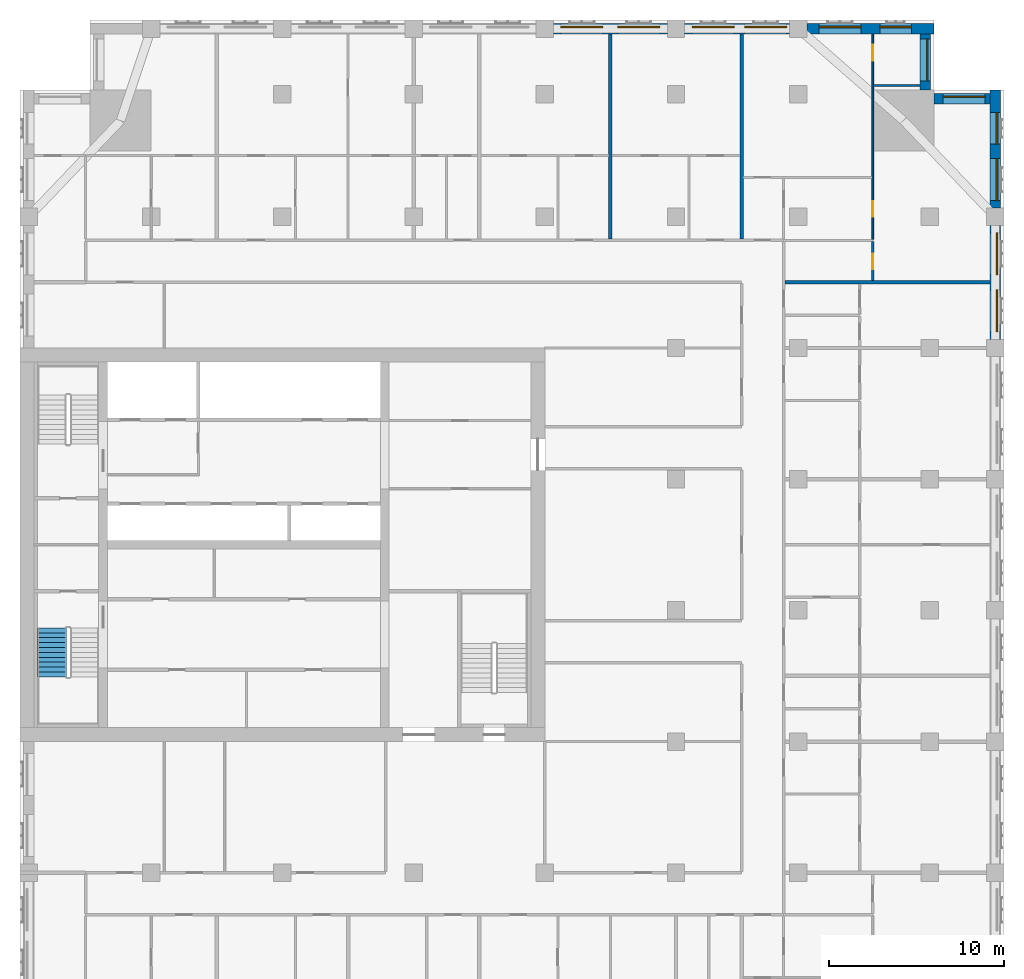
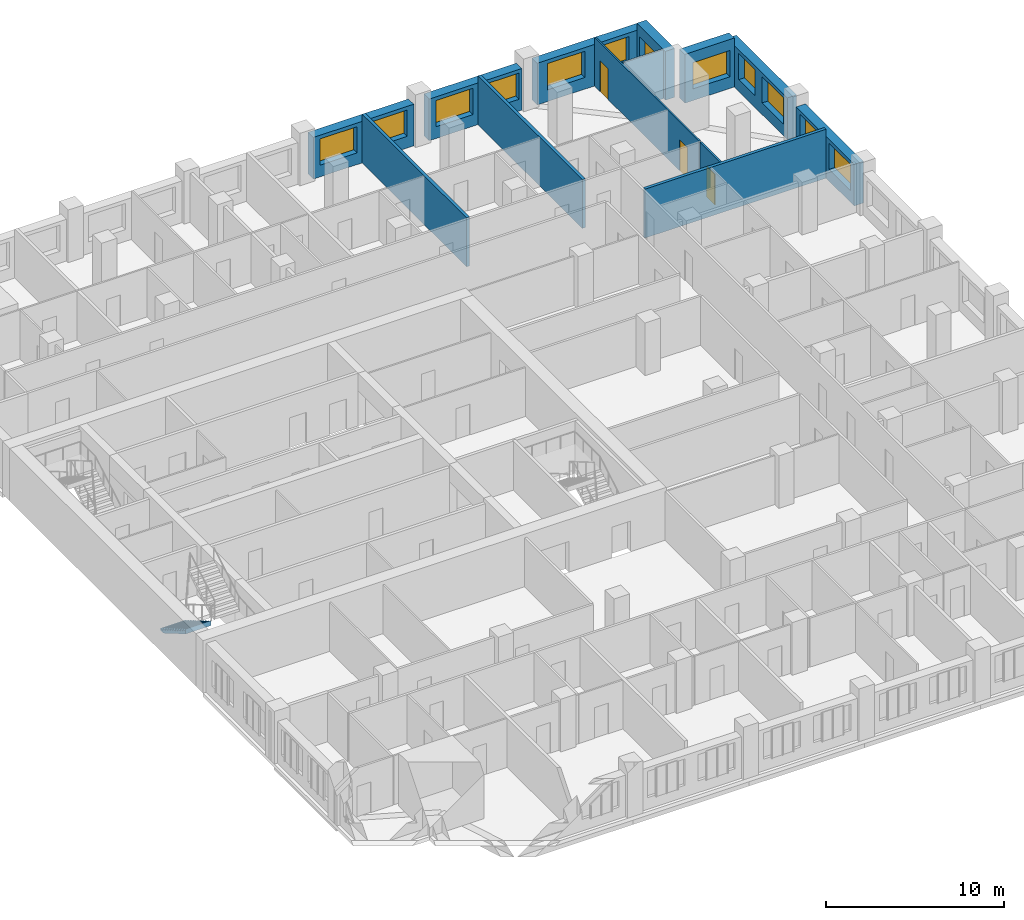
# One storey, part 11 of 14: 13 walls, 12 windows, 3 doors, 1 stair flight, 15 openings, 1 element without a shape of its own.
"""IFC4 building model written with IfcOpenShell, lengths in metres."""

from ifc_helpers import new_model, si_unit, direction, frame, frame_2d, origin, place, context, subcontext, project, spatial, polyline, rectangle, outline, extrude, material, layer, layer_set, type_object, element, fill, aggregate, save


model = new_model("IFC4")

# Units and contexts
model_context = context("Model", 3, precision=1e-05, world=origin(), true_north=direction((0.0, 1.0)))
body_context = subcontext(model_context, "Body", "Model", "MODEL_VIEW")
ifc_project = project(units=[si_unit("LENGTHUNIT", "METRE"), si_unit("AREAUNIT", "SQUARE_METRE"), si_unit("VOLUMEUNIT", "CUBIC_METRE"), si_unit("PLANEANGLEUNIT", "RADIAN"), si_unit("MASSUNIT", "GRAM", prefix="KILO")], contexts=[model_context])

# Site, building, storey
site_placement = place(None, origin())
site = spatial("IfcSite", under=ifc_project, at=site_placement, CompositionType="ELEMENT")
building_placement = place(site_placement, origin())
building = spatial("IfcBuilding", under=site, at=building_placement, Name="Tamorin Gate", CompositionType="ELEMENT")
storey_placement = place(building_placement, frame((0.0, 0.0, 133.800048828125)))
storey = spatial("IfcBuildingStorey", under=building, at=storey_placement, Name="L32", CompositionType="ELEMENT", Elevation=133.800048828125)

# Wall, openings, windows
ifc_material_1 = material(Name="Precast concrete C40/50", Category="concrete")
ifc_layer_1 = layer(ifc_material_1, 0.60009765625)
ifc_layer_set_1 = layer_set([ifc_layer_1], Name="Precast concrete C40/50")
wall_type_1 = type_object("IfcWallType", Name="Board-marked concrete facade panel 600", PredefinedType="SOLIDWALL", material=ifc_layer_set_1)
wall_1_placement = place(storey_placement, frame((85.75, 83.0, 0.0), z_axis=(0.0, 0.0, 1.0), x_axis=(0.0, 1.0, 0.0)))
wall_1 = element("IfcWall", 1, at=wall_1_placement, inside=storey, type_object=wall_type_1, Name="Facade panel", PredefinedType="SOLIDWALL", context=body_context, shape_type="SweptSolid", body=[
    extrude(rectangle(XDim=6.5, YDim=0.60009765625, at=frame_2d((3.25, 0.0))), origin(), (0.0, 0.0, 1.0), 2.849853515625),
])
opening_1_placement = place(wall_1_placement, frame((0.425048828125, 0.0, 0.800048828125)))
opening_1 = element("IfcOpeningElement", 2, at=opening_1_placement, cuts=wall_1, Name="Opening WN1", PredefinedType="OPENING", context=body_context, shape_type="SweptSolid", body=[
    extrude(rectangle(XDim=2.39990234375, YDim=1.800048828125, at=frame_2d((1.199951171875, 0.89990234375))), frame((0.0, 0.31005859375, 0.0), z_axis=(0.0, -1.0, 0.0), x_axis=(1.0, 0.0, 0.0)), (0.0, 0.0, 1.0), 0.6201171875),
])
opening_2_placement = place(wall_1_placement, frame((3.675048828125, 0.0, 0.800048828125)))
opening_2 = element("IfcOpeningElement", 3, at=opening_2_placement, cuts=wall_1, Name="Opening WN1", PredefinedType="OPENING", context=body_context, shape_type="SweptSolid", body=[
    extrude(rectangle(XDim=2.39990234375, YDim=1.800048828125, at=frame_2d((1.199951171875, 0.89990234375))), frame((0.0, 0.31005859375, 0.0), z_axis=(0.0, -1.0, 0.0), x_axis=(1.0, 0.0, 0.0)), (0.0, 0.0, 1.0), 0.6201171875),
])
ifc_material_2 = material(Name="Clear glass in aluminium frame", Category="aluminium")
window_type_1 = type_object("IfcWindowType", Name="Deep-set window 2400x1800", PartitioningType="SINGLE_PANEL", PredefinedType="WINDOW", material=ifc_material_2)
window_1_placement = place(opening_1_placement, origin())
window_1 = element("IfcWindow", 4, at=window_1_placement, inside=storey, type_object=window_type_1, Name="Deep-set window", OverallHeight=1.800048828125, OverallWidth=2.39990234375, PartitioningType="SINGLE_PANEL", PredefinedType="WINDOW", context=body_context, shape_type="SweptSolid", body=[
    extrude(rectangle(XDim=2.39990234375, YDim=1.800048828125, at=frame_2d((1.199951171875, 0.89990234375))), frame((0.0, -0.070068359375, 0.0), z_axis=(0.0, -1.0, 0.0), x_axis=(1.0, 0.0, 0.0)), (0.0, 0.0, 1.0), 0.06005859375),
])
fill(opening_1, window_1)
window_2_placement = place(opening_2_placement, origin())
window_2 = element("IfcWindow", 5, at=window_2_placement, inside=storey, type_object=window_type_1, Name="Deep-set window", OverallHeight=1.800048828125, OverallWidth=2.39990234375, PartitioningType="SINGLE_PANEL", PredefinedType="WINDOW", context=body_context, shape_type="SweptSolid", body=[
    extrude(rectangle(XDim=2.39990234375, YDim=1.800048828125, at=frame_2d((1.199951171875, 0.89990234375))), frame((0.0, -0.070068359375, 0.0), z_axis=(0.0, -1.0, 0.0), x_axis=(1.0, 0.0, 0.0)), (0.0, 0.0, 1.0), 0.06005859375),
])
fill(opening_2, window_2)

wall_2_placement = place(storey_placement, frame((85.75, 90.5, 0.0), z_axis=(0.0, 0.0, 1.0), x_axis=(0.0, 1.0, 0.0)))
wall_2 = element("IfcWall", 6, at=wall_2_placement, inside=storey, type_object=wall_type_1, Name="Facade panel", PredefinedType="SOLIDWALL", context=body_context, shape_type="SweptSolid", body=[
    extrude(rectangle(XDim=6.75, YDim=0.60009765625, at=frame_2d((3.375, 0.0))), origin(), (0.0, 0.0, 1.0), 2.849853515625),
])
opening_3_placement = place(wall_2_placement, frame((0.425048828125, 0.0, 0.800048828125)))
opening_3 = element("IfcOpeningElement", 7, at=opening_3_placement, cuts=wall_2, Name="Opening WN1", PredefinedType="OPENING", context=body_context, shape_type="SweptSolid", body=[
    extrude(rectangle(XDim=2.39990234375, YDim=1.800048828125, at=frame_2d((1.199951171875, 0.89990234375))), frame((0.0, 0.31005859375, 0.0), z_axis=(0.0, -1.0, 0.0), x_axis=(1.0, 0.0, 0.0)), (0.0, 0.0, 1.0), 0.6201171875),
])
opening_4_placement = place(wall_2_placement, frame((3.64990234375, 0.0, 0.800048828125)))
opening_4 = element("IfcOpeningElement", 8, at=opening_4_placement, cuts=wall_2, Name="Opening WN2", PredefinedType="OPENING", context=body_context, shape_type="SweptSolid", body=[
    extrude(rectangle(XDim=1.800048828125, YDim=1.800048828125, at=frame_2d((0.89990234375, 0.89990234375))), frame((0.0, 0.31005859375, 0.0), z_axis=(0.0, -1.0, 0.0), x_axis=(1.0, 0.0, 0.0)), (0.0, 0.0, 1.0), 0.6201171875),
])
window_type_2 = type_object("IfcWindowType", Name="Deep-set window 1800x1800", PartitioningType="SINGLE_PANEL", PredefinedType="WINDOW", material=ifc_material_2)
window_3_placement = place(opening_4_placement, origin())
window_3 = element("IfcWindow", 9, at=window_3_placement, inside=storey, type_object=window_type_2, Name="Deep-set window", OverallHeight=1.800048828125, OverallWidth=1.800048828125, PartitioningType="SINGLE_PANEL", PredefinedType="WINDOW", context=body_context, shape_type="SweptSolid", body=[
    extrude(rectangle(XDim=1.800048828125, YDim=1.800048828125, at=frame_2d((0.89990234375, 0.89990234375))), frame((0.0, -0.070068359375, 0.0), z_axis=(0.0, -1.0, 0.0), x_axis=(1.0, 0.0, 0.0)), (0.0, 0.0, 1.0), 0.06005859375),
])
fill(opening_4, window_3)
window_4_placement = place(opening_3_placement, origin())
window_4 = element("IfcWindow", 10, at=window_4_placement, inside=storey, type_object=window_type_1, Name="Deep-set window", OverallHeight=1.800048828125, OverallWidth=2.39990234375, PartitioningType="SINGLE_PANEL", PredefinedType="WINDOW", context=body_context, shape_type="SweptSolid", body=[
    extrude(rectangle(XDim=2.39990234375, YDim=1.800048828125, at=frame_2d((1.199951171875, 0.89990234375))), frame((0.0, -0.070068359375, 0.0), z_axis=(0.0, -1.0, 0.0), x_axis=(1.0, 0.0, 0.0)), (0.0, 0.0, 1.0), 0.06005859375),
])
fill(opening_3, window_4)

# Wall, opening, window
wall_3_placement = place(storey_placement, frame((85.449951171875, 96.75, 0.0), z_axis=(0.0, 0.0, 1.0), x_axis=(-1.0, 0.0, 0.0)))
wall_3 = element("IfcWall", 11, at=wall_3_placement, inside=storey, type_object=wall_type_1, Name="Facade panel", PredefinedType="SOLIDWALL", context=body_context, shape_type="SweptSolid", body=[
    extrude(rectangle(XDim=3.199951171875, YDim=0.60009765625, at=frame_2d((1.60009765625, 0.0))), origin(), (0.0, 0.0, 1.0), 3.349853515625),
])
opening_5_placement = place(wall_3_placement, frame((0.27490234375, 0.0, 0.800048828125)))
opening_5 = element("IfcOpeningElement", 12, at=opening_5_placement, cuts=wall_3, Name="Opening WN1", PredefinedType="OPENING", context=body_context, shape_type="SweptSolid", body=[
    extrude(rectangle(XDim=2.39990234375, YDim=1.800048828125, at=frame_2d((1.199951171875, 0.89990234375))), frame((0.0, 0.31005859375, 0.0), z_axis=(0.0, -1.0, 0.0), x_axis=(1.0, 0.0, 0.0)), (0.0, 0.0, 1.0), 0.6201171875),
])
window_5_placement = place(opening_5_placement, origin())
window_5 = element("IfcWindow", 13, at=window_5_placement, inside=storey, type_object=window_type_1, Name="Deep-set window", OverallHeight=1.800048828125, OverallWidth=2.39990234375, PartitioningType="SINGLE_PANEL", PredefinedType="WINDOW", context=body_context, shape_type="SweptSolid", body=[
    extrude(rectangle(XDim=2.39990234375, YDim=1.800048828125, at=frame_2d((1.199951171875, 0.89990234375))), frame((0.0, -0.070068359375, 0.0), z_axis=(0.0, -1.0, 0.0), x_axis=(1.0, 0.0, 0.0)), (0.0, 0.0, 1.0), 0.06005859375),
])
fill(opening_5, window_5)

wall_4_placement = place(storey_placement, frame((81.75, 97.25, 0.0), z_axis=(0.0, 0.0, 1.0), x_axis=(0.0, 1.0, 0.0)))
wall_4 = element("IfcWall", 14, at=wall_4_placement, inside=storey, type_object=wall_type_1, Name="Facade panel", PredefinedType="SOLIDWALL", context=body_context, shape_type="SweptSolid", body=[
    extrude(rectangle(XDim=3.199951171875, YDim=0.60009765625, at=frame_2d((1.60009765625, 0.0))), origin(), (0.0, 0.0, 1.0), 3.349853515625),
])
opening_6_placement = place(wall_4_placement, frame((0.52490234375, 0.0, 0.800048828125)))
opening_6 = element("IfcOpeningElement", 15, at=opening_6_placement, cuts=wall_4, Name="Opening WN1", PredefinedType="OPENING", context=body_context, shape_type="SweptSolid", body=[
    extrude(rectangle(XDim=2.39990234375, YDim=1.800048828125, at=frame_2d((1.199951171875, 0.89990234375))), frame((0.0, 0.31005859375, 0.0), z_axis=(0.0, -1.0, 0.0), x_axis=(1.0, 0.0, 0.0)), (0.0, 0.0, 1.0), 0.6201171875),
])
window_6_placement = place(opening_6_placement, origin())
window_6 = element("IfcWindow", 16, at=window_6_placement, inside=storey, type_object=window_type_1, Name="Deep-set window", OverallHeight=1.800048828125, OverallWidth=2.39990234375, PartitioningType="SINGLE_PANEL", PredefinedType="WINDOW", context=body_context, shape_type="SweptSolid", body=[
    extrude(rectangle(XDim=2.39990234375, YDim=1.800048828125, at=frame_2d((1.199951171875, 0.89990234375))), frame((0.0, -0.070068359375, 0.0), z_axis=(0.0, -1.0, 0.0), x_axis=(1.0, 0.0, 0.0)), (0.0, 0.0, 1.0), 0.06005859375),
])
fill(opening_6, window_6)

# Wall, openings, windows
wall_5_placement = place(storey_placement, frame((82.25, 100.75, 0.0), z_axis=(0.0, 0.0, 1.0), x_axis=(-1.0, 0.0, 0.0)))
wall_5 = element("IfcWall", 17, at=wall_5_placement, inside=storey, type_object=wall_type_1, Name="Facade panel", PredefinedType="SOLIDWALL", context=body_context, shape_type="SweptSolid", body=[
    extrude(rectangle(XDim=7.25, YDim=0.60009765625, at=frame_2d((3.625, 0.0))), origin(), (0.0, 0.0, 1.0), 2.849853515625),
])
opening_7_placement = place(wall_5_placement, frame((4.175048828125, 0.0, 0.800048828125)))
opening_7 = element("IfcOpeningElement", 18, at=opening_7_placement, cuts=wall_5, Name="Opening WN1", PredefinedType="OPENING", context=body_context, shape_type="SweptSolid", body=[
    extrude(rectangle(XDim=2.39990234375, YDim=1.800048828125, at=frame_2d((1.199951171875, 0.89990234375))), frame((0.0, 0.31005859375, 0.0), z_axis=(0.0, -1.0, 0.0), x_axis=(1.0, 0.0, 0.0)), (0.0, 0.0, 1.0), 0.6201171875),
])
opening_8_placement = place(wall_5_placement, frame((1.300048828125, 0.0, 0.800048828125)))
opening_8 = element("IfcOpeningElement", 19, at=opening_8_placement, cuts=wall_5, Name="Opening WN2", PredefinedType="OPENING", context=body_context, shape_type="SweptSolid", body=[
    extrude(rectangle(XDim=1.800048828125, YDim=1.800048828125, at=frame_2d((0.89990234375, 0.89990234375))), frame((0.0, 0.31005859375, 0.0), z_axis=(0.0, -1.0, 0.0), x_axis=(1.0, 0.0, 0.0)), (0.0, 0.0, 1.0), 0.6201171875),
])
window_7_placement = place(opening_8_placement, origin())
window_7 = element("IfcWindow", 20, at=window_7_placement, inside=storey, type_object=window_type_2, Name="Deep-set window", OverallHeight=1.800048828125, OverallWidth=1.800048828125, PartitioningType="SINGLE_PANEL", PredefinedType="WINDOW", context=body_context, shape_type="SweptSolid", body=[
    extrude(rectangle(XDim=1.800048828125, YDim=1.800048828125, at=frame_2d((0.89990234375, 0.89990234375))), frame((0.0, -0.070068359375, 0.0), z_axis=(0.0, -1.0, 0.0), x_axis=(1.0, 0.0, 0.0)), (0.0, 0.0, 1.0), 0.06005859375),
])
fill(opening_8, window_7)
window_8_placement = place(opening_7_placement, origin())
window_8 = element("IfcWindow", 21, at=window_8_placement, inside=storey, type_object=window_type_1, Name="Deep-set window", OverallHeight=1.800048828125, OverallWidth=2.39990234375, PartitioningType="SINGLE_PANEL", PredefinedType="WINDOW", context=body_context, shape_type="SweptSolid", body=[
    extrude(rectangle(XDim=2.39990234375, YDim=1.800048828125, at=frame_2d((1.199951171875, 0.89990234375))), frame((0.0, -0.070068359375, 0.0), z_axis=(0.0, -1.0, 0.0), x_axis=(1.0, 0.0, 0.0)), (0.0, 0.0, 1.0), 0.06005859375),
])
fill(opening_7, window_8)

wall_6_placement = place(storey_placement, frame((74.0, 100.75, 0.0), z_axis=(0.0, 0.0, 1.0), x_axis=(-1.0, 0.0, 0.0)))
wall_6 = element("IfcWall", 22, at=wall_6_placement, inside=storey, type_object=wall_type_1, Name="Facade panel", PredefinedType="SOLIDWALL", context=body_context, shape_type="SweptSolid", body=[
    extrude(rectangle(XDim=6.0, YDim=0.60009765625, at=frame_2d((3.0, 0.0))), origin(), (0.0, 0.0, 1.0), 2.849853515625),
])
opening_9_placement = place(wall_6_placement, frame((3.175048828125, 0.0, 0.800048828125)))
opening_9 = element("IfcOpeningElement", 23, at=opening_9_placement, cuts=wall_6, Name="Opening WN1", PredefinedType="OPENING", context=body_context, shape_type="SweptSolid", body=[
    extrude(rectangle(XDim=2.39990234375, YDim=1.800048828125, at=frame_2d((1.199951171875, 0.89990234375))), frame((0.0, 0.31005859375, 0.0), z_axis=(0.0, -1.0, 0.0), x_axis=(1.0, 0.0, 0.0)), (0.0, 0.0, 1.0), 0.6201171875),
])
opening_10_placement = place(wall_6_placement, frame((0.175048828125, 0.0, 0.800048828125)))
opening_10 = element("IfcOpeningElement", 24, at=opening_10_placement, cuts=wall_6, Name="Opening WN1", PredefinedType="OPENING", context=body_context, shape_type="SweptSolid", body=[
    extrude(rectangle(XDim=2.39990234375, YDim=1.800048828125, at=frame_2d((1.199951171875, 0.89990234375))), frame((0.0, 0.31005859375, 0.0), z_axis=(0.0, -1.0, 0.0), x_axis=(1.0, 0.0, 0.0)), (0.0, 0.0, 1.0), 0.6201171875),
])
window_9_placement = place(opening_9_placement, origin())
window_9 = element("IfcWindow", 25, at=window_9_placement, inside=storey, type_object=window_type_1, Name="Deep-set window", OverallHeight=1.800048828125, OverallWidth=2.39990234375, PartitioningType="SINGLE_PANEL", PredefinedType="WINDOW", context=body_context, shape_type="SweptSolid", body=[
    extrude(rectangle(XDim=2.39990234375, YDim=1.800048828125, at=frame_2d((1.199951171875, 0.89990234375))), frame((0.0, -0.070068359375, 0.0), z_axis=(0.0, -1.0, 0.0), x_axis=(1.0, 0.0, 0.0)), (0.0, 0.0, 1.0), 0.06005859375),
])
fill(opening_9, window_9)
window_10_placement = place(opening_10_placement, origin())
window_10 = element("IfcWindow", 26, at=window_10_placement, inside=storey, type_object=window_type_1, Name="Deep-set window", OverallHeight=1.800048828125, OverallWidth=2.39990234375, PartitioningType="SINGLE_PANEL", PredefinedType="WINDOW", context=body_context, shape_type="SweptSolid", body=[
    extrude(rectangle(XDim=2.39990234375, YDim=1.800048828125, at=frame_2d((1.199951171875, 0.89990234375))), frame((0.0, -0.070068359375, 0.0), z_axis=(0.0, -1.0, 0.0), x_axis=(1.0, 0.0, 0.0)), (0.0, 0.0, 1.0), 0.06005859375),
])
fill(opening_10, window_10)

wall_7_placement = place(storey_placement, frame((67.0, 100.75, 0.0), z_axis=(0.0, 0.0, 1.0), x_axis=(-1.0, 0.0, 0.0)))
wall_7 = element("IfcWall", 27, at=wall_7_placement, inside=storey, type_object=wall_type_1, Name="Facade panel", PredefinedType="SOLIDWALL", context=body_context, shape_type="SweptSolid", body=[
    extrude(rectangle(XDim=6.5, YDim=0.60009765625, at=frame_2d((3.25, 0.0))), origin(), (0.0, 0.0, 1.0), 2.849853515625),
])
opening_11_placement = place(wall_7_placement, frame((3.675048828125, 0.0, 0.800048828125)))
opening_11 = element("IfcOpeningElement", 28, at=opening_11_placement, cuts=wall_7, Name="Opening WN1", PredefinedType="OPENING", context=body_context, shape_type="SweptSolid", body=[
    extrude(rectangle(XDim=2.39990234375, YDim=1.800048828125, at=frame_2d((1.199951171875, 0.89990234375))), frame((0.0, 0.31005859375, 0.0), z_axis=(0.0, -1.0, 0.0), x_axis=(1.0, 0.0, 0.0)), (0.0, 0.0, 1.0), 0.6201171875),
])
opening_12_placement = place(wall_7_placement, frame((0.425048828125, 0.0, 0.800048828125)))
opening_12 = element("IfcOpeningElement", 29, at=opening_12_placement, cuts=wall_7, Name="Opening WN1", PredefinedType="OPENING", context=body_context, shape_type="SweptSolid", body=[
    extrude(rectangle(XDim=2.39990234375, YDim=1.800048828125, at=frame_2d((1.199951171875, 0.89990234375))), frame((0.0, 0.31005859375, 0.0), z_axis=(0.0, -1.0, 0.0), x_axis=(1.0, 0.0, 0.0)), (0.0, 0.0, 1.0), 0.6201171875),
])
window_11_placement = place(opening_11_placement, origin())
window_11 = element("IfcWindow", 30, at=window_11_placement, inside=storey, type_object=window_type_1, Name="Deep-set window", OverallHeight=1.800048828125, OverallWidth=2.39990234375, PartitioningType="SINGLE_PANEL", PredefinedType="WINDOW", context=body_context, shape_type="SweptSolid", body=[
    extrude(rectangle(XDim=2.39990234375, YDim=1.800048828125, at=frame_2d((1.199951171875, 0.89990234375))), frame((0.0, -0.070068359375, 0.0), z_axis=(0.0, -1.0, 0.0), x_axis=(1.0, 0.0, 0.0)), (0.0, 0.0, 1.0), 0.06005859375),
])
fill(opening_11, window_11)
window_12_placement = place(opening_12_placement, origin())
window_12 = element("IfcWindow", 31, at=window_12_placement, inside=storey, type_object=window_type_1, Name="Deep-set window", OverallHeight=1.800048828125, OverallWidth=2.39990234375, PartitioningType="SINGLE_PANEL", PredefinedType="WINDOW", context=body_context, shape_type="SweptSolid", body=[
    extrude(rectangle(XDim=2.39990234375, YDim=1.800048828125, at=frame_2d((1.199951171875, 0.89990234375))), frame((0.0, -0.070068359375, 0.0), z_axis=(0.0, -1.0, 0.0), x_axis=(1.0, 0.0, 0.0)), (0.0, 0.0, 1.0), 0.06005859375),
])
fill(opening_12, window_12)

# Walls
ifc_material_3 = material(Name="Gypsum board partition")
ifc_layer_2 = layer(ifc_material_3, 0.199951171875)
ifc_layer_set_2 = layer_set([ifc_layer_2], Name="Demising wall 200")
wall_type_2 = type_object("IfcWallType", Name="Demising wall 200", PredefinedType="PARTITIONING", material=ifc_layer_set_2)
for number, where, z_axis, x_axis, name in (
    (32, (73.72509765625, 86.25, 0.0), (0.0, 0.0, 1.0), (1.0, 0.0, 0.0), "Demising wall 200"),
    (33, (63.75, 88.72509765625, 0.0), (0.0, 0.0, 1.0), (0.0, 1.0, 0.0), "Demising wall 200"),
    (34, (71.25, 88.72509765625, 0.0), (0.0, 0.0, 1.0), (0.0, 1.0, 0.0), "Demising wall 200"),
):
    element("IfcWall", number, at=place(storey_placement, frame(where, z_axis=z_axis, x_axis=x_axis)), inside=storey, type_object=wall_type_2, Name=name, PredefinedType="PARTITIONING", context=body_context, shape_type="SweptSolid", body=[
        extrude(rectangle(XDim=11.71484375, YDim=0.199951171875, at=frame_2d((5.857421875, 0.0))), origin(), (0.0, 0.0, 1.0), 3.349853515625),
    ])
ifc_layer_3 = layer(ifc_material_3, 0.10009765625)
ifc_layer_set_3 = layer_set([ifc_layer_3], Name="Room partition 100")
wall_type_3 = type_object("IfcWallType", Name="Room partition 100", PredefinedType="PARTITIONING", material=ifc_layer_set_3)
wall_8_placement = place(storey_placement, frame((78.800048828125, 97.5, 0.0), z_axis=(0.0, 0.0, 1.0), x_axis=(1.0, 0.0, 0.0)))
element("IfcWall", 35, at=wall_8_placement, inside=storey, type_object=wall_type_3, Name="Room partition 100", PredefinedType="PARTITIONING", context=body_context, shape_type="SweptSolid", body=[
    extrude(rectangle(XDim=2.639892578125, YDim=0.10009765625, at=frame_2d((1.31982421875, 0.0))), origin(), (0.0, 0.0, 1.0), 3.349853515625),
])

# Wall, openings, doors
wall_9_placement = place(storey_placement, frame((78.75, 88.71240234375, 0.0), z_axis=(0.0, 0.0, 1.0), x_axis=(0.0, 1.0, 0.0)))
wall_9 = element("IfcWall", 36, at=wall_9_placement, inside=storey, type_object=wall_type_3, Name="Room partition 100", PredefinedType="PARTITIONING", context=body_context, shape_type="SweptSolid", body=[
    extrude(rectangle(XDim=11.7275390625, YDim=0.10009765625, at=frame_2d((5.86376953125, 0.0))), origin(), (0.0, 0.0, 1.0), 3.349853515625),
])
opening_13_placement = place(wall_9_placement, frame((10.21240234375, 0.0, 0.0)))
opening_13 = element("IfcOpeningElement", 37, at=opening_13_placement, cuts=wall_9, Name="Opening DS2063", PredefinedType="OPENING", context=body_context, shape_type="SweptSolid", body=[
    extrude(rectangle(XDim=0.89990234375, YDim=2.10009765625, at=frame_2d((0.449951171875, 1.050048828125))), frame((0.0, 0.06005859375, 0.0), z_axis=(0.0, -1.0, 0.0), x_axis=(1.0, 0.0, 0.0)), (0.0, 0.0, 1.0), 0.1201171875),
])
opening_14_placement = place(wall_9_placement, frame((1.28759765625, 0.0, 0.0)))
opening_14 = element("IfcOpeningElement", 38, at=opening_14_placement, cuts=wall_9, Name="Opening DS2064", PredefinedType="OPENING", context=body_context, shape_type="SweptSolid", body=[
    extrude(rectangle(XDim=0.89990234375, YDim=2.10009765625, at=frame_2d((0.449951171875, 1.050048828125))), frame((0.0, 0.06005859375, 0.0), z_axis=(0.0, -1.0, 0.0), x_axis=(1.0, 0.0, 0.0)), (0.0, 0.0, 1.0), 0.1201171875),
])
ifc_material_4 = material(Name="Timber door leaf", Category="wood")
door_type = type_object("IfcDoorType", Name="Door 900 x 2100", OperationType="NOTDEFINED", PredefinedType="DOOR", material=ifc_material_4)
door_1_placement = place(opening_13_placement, origin())
door_1 = element("IfcDoor", 39, at=door_1_placement, inside=storey, type_object=door_type, Name="Door DS2063", OperationType="SINGLE_SWING_LEFT", OverallHeight=2.10009765625, OverallWidth=0.89990234375, PredefinedType="DOOR", context=body_context, shape_type="SweptSolid", body=[
    extrude(rectangle(XDim=0.89990234375, YDim=2.10009765625, at=frame_2d((0.449951171875, 1.050048828125))), frame((0.0, 0.02490234375, 0.0), z_axis=(0.0, -1.0, 0.0), x_axis=(1.0, 0.0, 0.0)), (0.0, 0.0, 1.0), 0.050048828125),
])
fill(opening_13, door_1)
door_2_placement = place(opening_14_placement, origin())
door_2 = element("IfcDoor", 40, at=door_2_placement, inside=storey, type_object=door_type, Name="Door DS2064", OperationType="SINGLE_SWING_RIGHT", OverallHeight=2.10009765625, OverallWidth=0.89990234375, PredefinedType="DOOR", context=body_context, shape_type="SweptSolid", body=[
    extrude(rectangle(XDim=0.89990234375, YDim=2.10009765625, at=frame_2d((0.449951171875, 1.050048828125))), frame((0.0, 0.02490234375, 0.0), z_axis=(0.0, -1.0, 0.0), x_axis=(1.0, 0.0, 0.0)), (0.0, 0.0, 1.0), 0.050048828125),
])
fill(opening_14, door_2)

# Wall, opening, door
ifc_layer_4 = layer(ifc_material_3, 0.125)
ifc_layer_set_4 = layer_set([ifc_layer_4], Name="Wet wall 125")
wall_type_4 = type_object("IfcWallType", Name="Wet wall 125", PredefinedType="PARTITIONING", material=ifc_layer_set_4)
wall_10_placement = place(storey_placement, frame((78.75, 86.35009765625, 0.0), z_axis=(0.0, 0.0, 1.0), x_axis=(0.0, 1.0, 0.0)))
wall_10 = element("IfcWall", 41, at=wall_10_placement, inside=storey, type_object=wall_type_4, Name="Wet wall 125", PredefinedType="PARTITIONING", context=body_context, shape_type="SweptSolid", body=[
    extrude(rectangle(XDim=2.2373046875, YDim=0.125, at=frame_2d((1.11865234375, 0.0))), origin(), (0.0, 0.0, 1.0), 3.349853515625),
])
opening_15_placement = place(wall_10_placement, frame((0.64990234375, 0.0, 0.0)))
opening_15 = element("IfcOpeningElement", 42, at=opening_15_placement, cuts=wall_10, Name="Opening DS2065", PredefinedType="OPENING", context=body_context, shape_type="SweptSolid", body=[
    extrude(rectangle(XDim=0.89990234375, YDim=2.10009765625, at=frame_2d((0.449951171875, 1.050048828125))), frame((0.0, 0.072509765625, 0.0), z_axis=(0.0, -1.0, 0.0), x_axis=(1.0, 0.0, 0.0)), (0.0, 0.0, 1.0), 0.14501953125),
])
door_3_placement = place(opening_15_placement, origin())
door_3 = element("IfcDoor", 43, at=door_3_placement, inside=storey, type_object=door_type, Name="Door DS2065", OperationType="SINGLE_SWING_LEFT", OverallHeight=2.10009765625, OverallWidth=0.89990234375, PredefinedType="DOOR", context=body_context, shape_type="SweptSolid", body=[
    extrude(rectangle(XDim=0.89990234375, YDim=2.10009765625, at=frame_2d((0.449951171875, 1.050048828125))), frame((0.0, 0.02490234375, 0.0), z_axis=(0.0, -1.0, 0.0), x_axis=(1.0, 0.0, 0.0)), (0.0, 0.0, 1.0), 0.050048828125),
])
fill(opening_15, door_3)

# Stair, stair flight
ifc_material_5 = material(Name="Concrete C40/50", Category="concrete")
stair_type = type_object("IfcStairType", Name="Exit stair", PredefinedType="HALF_TURN_STAIR", material=ifc_material_5)
stair_placement = place(storey_placement, origin())
stair = element("IfcStair", 44, at=stair_placement, inside=storey, type_object=stair_type, Name="L32 stair ST1", PredefinedType="HALF_TURN_STAIR")
stair_flight_type = type_object("IfcStairFlightType", Name="Exit stair flight", PredefinedType="STRAIGHT", material=ifc_material_5)
stair_flight_placement = place(storey_placement, frame((31.824951171875, 66.5, 0.0), z_axis=(0.0, 0.0, 1.0), x_axis=(0.0, -1.0, 0.0)))
stair_flight = element("IfcStairFlight", 45, at=stair_flight_placement, type_object=stair_flight_type, Name="ST1 flight 1", NumberOfRisers=11, NumberOfTreads=10, PredefinedType="STRAIGHT", RiserHeight=0.163636364, TreadLength=0.28, context=body_context, shape_type="SweptSolid", body=[
    extrude(outline(polyline([(-0.00048828125, 0.0), (-0.00048828125, 0.001708984375), (-0.00048828125, 0.003173828125), (-0.00048828125, 0.0048828125), (-0.00048828125, 0.006591796875), (-0.00048828125, 0.008056640625), (-0.00048828125, 0.009765625), (-0.00048828125, 0.01123046875), (-0.00048828125, 0.012939453125), (-0.00048828125, 0.0146484375), (-0.00048828125, 0.01611328125), (-0.00048828125, 0.017822265625), (-0.00048828125, 0.01953125), (-0.00048828125, 0.02099609375), (-0.00048828125, 0.022705078125), (-0.00048828125, 0.0244140625), (-0.00048828125, 0.02587890625), (-0.00048828125, 0.027587890625), (-0.00048828125, 0.029052734375), (-0.00048828125, 0.03076171875), (-0.00048828125, 0.032470703125), (-0.00048828125, 0.033935546875), (-0.00048828125, 0.03564453125), (-0.00048828125, 0.037353515625), (-0.00048828125, 0.038818359375), (-0.00048828125, 0.04052734375), (-0.00048828125, 0.042236328125), (-0.00048828125, 0.043701171875), (-0.00048828125, 0.04541015625), (-0.00048828125, 0.046875), (-0.00048828125, 0.048583984375), (-0.00048828125, 0.05029296875), (-0.00048828125, 0.0517578125), (-0.00048828125, 0.053466796875), (-0.00048828125, 0.05517578125), (-0.00048828125, 0.056640625), (-0.00048828125, 0.058349609375), (-0.00048828125, 0.06005859375), (-0.00048828125, 0.0615234375), (-0.00048828125, 0.063232421875), (-0.00048828125, 0.064697265625), (-0.00048828125, 0.06640625), (-0.00048828125, 0.068115234375), (-0.00048828125, 0.069580078125), (-0.00048828125, 0.0712890625), (-0.00048828125, 0.072998046875), (-0.00048828125, 0.074462890625), (-0.00048828125, 0.076171875), (-0.00048828125, 0.077880859375), (-0.00048828125, 0.079345703125), (-0.00048828125, 0.0810546875), (-0.00048828125, 0.08251953125), (-0.00048828125, 0.084228515625), (-0.00048828125, 0.0859375), (-0.00048828125, 0.08740234375), (-0.00048828125, 0.089111328125), (-0.00048828125, 0.0908203125), (-0.00048828125, 0.09228515625), (-0.00048828125, 0.093994140625), (-0.00048828125, 0.095703125), (-0.00048828125, 0.09716796875), (-0.00048828125, 0.098876953125), (-0.00048828125, 0.100341796875), (-0.00048828125, 0.10205078125), (-0.00048828125, 0.103759765625), (-0.00048828125, 0.105224609375), (-0.00048828125, 0.10693359375), (-0.00048828125, 0.108642578125), (-0.00048828125, 0.110107421875), (-0.00048828125, 0.11181640625), (-0.00048828125, 0.113525390625), (-0.00048828125, 0.114990234375), (-0.00048828125, 0.11669921875), (-0.00048828125, 0.1181640625), (-0.00048828125, 0.119873046875), (-0.00048828125, 0.12158203125), (-0.00048828125, 0.123046875), (-0.00048828125, 0.124755859375), (-0.00048828125, 0.12646484375), (-0.00048828125, 0.1279296875), (-0.00048828125, 0.129638671875), (-0.00048828125, 0.13134765625), (-0.00048828125, 0.1328125), (-0.00048828125, 0.134521484375), (-0.00048828125, 0.135986328125), (-0.00048828125, 0.1376953125), (-0.00048828125, 0.139404296875), (-0.00048828125, 0.140869140625), (-0.00048828125, 0.142578125), (-0.00048828125, 0.144287109375), (-0.00048828125, 0.145751953125), (-0.00048828125, 0.1474609375), (-0.00048828125, 0.149169921875), (-0.00048828125, 0.150634765625), (-0.00048828125, 0.15234375), (-0.00048828125, 0.15380859375), (-0.00048828125, 0.155517578125), (-0.00048828125, 0.1572265625), (-0.00048828125, 0.15869140625), (-0.00048828125, 0.160400390625), (-0.00048828125, 0.162109375), (-0.00048828125, 0.16357421875), (0.280029296875, 0.16357421875), (0.280029296875, 0.327392578125), (0.56005859375, 0.327392578125), (0.56005859375, 0.490966796875), (0.840087890625, 0.490966796875), (0.840087890625, 0.654541015625), (1.1201171875, 0.654541015625), (1.1201171875, 0.818115234375), (1.39990234375, 0.818115234375), (1.39990234375, 0.98193359375), (1.679931640625, 0.98193359375), (1.679931640625, 1.1455078125), (1.9599609375, 1.1455078125), (1.9599609375, 1.30908203125), (2.239990234375, 1.30908203125), (2.239990234375, 1.47265625), (2.52001953125, 1.47265625), (2.52001953125, 1.636474609375), (2.800048828125, 1.636474609375), (2.800048828125, 1.800048828125), (2.800537109375, 1.800048828125), (2.800537109375, 1.796630859375), (2.800537109375, 1.793212890625), (2.800537109375, 1.7900390625), (2.800537109375, 1.78662109375), (2.800537109375, 1.783203125), (2.800537109375, 1.780029296875), (2.800537109375, 1.776611328125), (2.800537109375, 1.773193359375), (2.800537109375, 1.77001953125), (2.800537109375, 1.7666015625), (2.800537109375, 1.76318359375), (2.800537109375, 1.760009765625), (2.800537109375, 1.756591796875), (2.800537109375, 1.753173828125), (2.800537109375, 1.75), (2.800537109375, 1.74658203125), (2.800537109375, 1.7431640625), (2.800537109375, 1.739990234375), (2.800537109375, 1.736572265625), (2.800537109375, 1.733154296875), (2.800537109375, 1.72998046875), (2.800537109375, 1.7265625), (2.800537109375, 1.72314453125), (2.800537109375, 1.719970703125), (2.800537109375, 1.716552734375), (2.800537109375, 1.713134765625), (2.800537109375, 1.7099609375), (2.800537109375, 1.70654296875), (2.800537109375, 1.703125), (2.800537109375, 1.69970703125), (2.800537109375, 1.696533203125), (2.800537109375, 1.693115234375), (2.800537109375, 1.689697265625), (2.800537109375, 1.6865234375), (2.800537109375, 1.68310546875), (2.800537109375, 1.6796875), (2.800537109375, 1.676513671875), (2.800537109375, 1.673095703125), (2.800537109375, 1.669677734375), (2.800537109375, 1.66650390625), (2.800537109375, 1.6630859375), (2.800537109375, 1.65966796875), (2.800537109375, 1.656494140625), (2.800537109375, 1.653076171875), (2.800537109375, 1.649658203125), (2.800537109375, 1.646484375), (2.800537109375, 1.64306640625), (2.800537109375, 1.6396484375), (2.800537109375, 1.636474609375), (2.800537109375, 1.633056640625), (2.800537109375, 1.629638671875), (2.800537109375, 1.62646484375), (2.800537109375, 1.623046875), (2.800537109375, 1.61962890625), (2.800537109375, 1.616455078125), (2.800537109375, 1.613037109375), (2.800537109375, 1.609619140625), (2.800537109375, 1.6064453125), (2.800537109375, 1.60302734375), (2.800537109375, 1.599609375), (2.800537109375, 1.59619140625), (2.800537109375, 1.593017578125), (2.800537109375, 1.589599609375), (2.800537109375, 1.586181640625), (2.800537109375, 1.5830078125), (2.800537109375, 1.57958984375), (2.800537109375, 1.576171875), (2.800537109375, 1.572998046875), (2.800537109375, 1.569580078125), (2.800537109375, 1.566162109375), (2.800537109375, 1.56298828125), (2.800537109375, 1.5595703125), (2.800537109375, 1.55615234375), (2.800537109375, 1.552978515625), (2.800537109375, 1.549560546875), (2.800537109375, 1.546142578125), (2.800537109375, 1.54296875), (2.800537109375, 1.53955078125), (2.800537109375, 1.5361328125), (2.800537109375, 1.532958984375), (2.800537109375, 1.529541015625), (2.800537109375, 1.526123046875), (2.800537109375, 1.52294921875), (2.800537109375, 1.51953125), (2.800537109375, 1.51611328125), (2.800537109375, 1.512939453125), (2.800537109375, 1.509521484375), (2.800537109375, 1.506103515625), (2.800537109375, 1.5029296875), (2.800537109375, 1.49951171875), (2.800537109375, 1.49609375), (2.800537109375, 1.49267578125), (2.800537109375, 1.489501953125), (2.800537109375, 1.486083984375), (2.800537109375, 1.482666015625), (2.800537109375, 1.4794921875), (2.800537109375, 1.47607421875), (2.800537109375, 1.47265625), (2.800537109375, 1.469482421875), (2.800537109375, 1.466064453125), (2.800537109375, 1.462646484375), (2.800048828125, 1.462646484375), (0.297119140625, 0.0), (-0.00048828125, 0.0)])), frame((0.0, 0.824951171875, 0.0), z_axis=(0.0, -1.0, 0.0), x_axis=(1.0, 0.0, 0.0)), (0.0, 0.0, 1.0), 1.64990234375),
])
aggregate(stair, [stair_flight])

save(model, "model.ifc")
